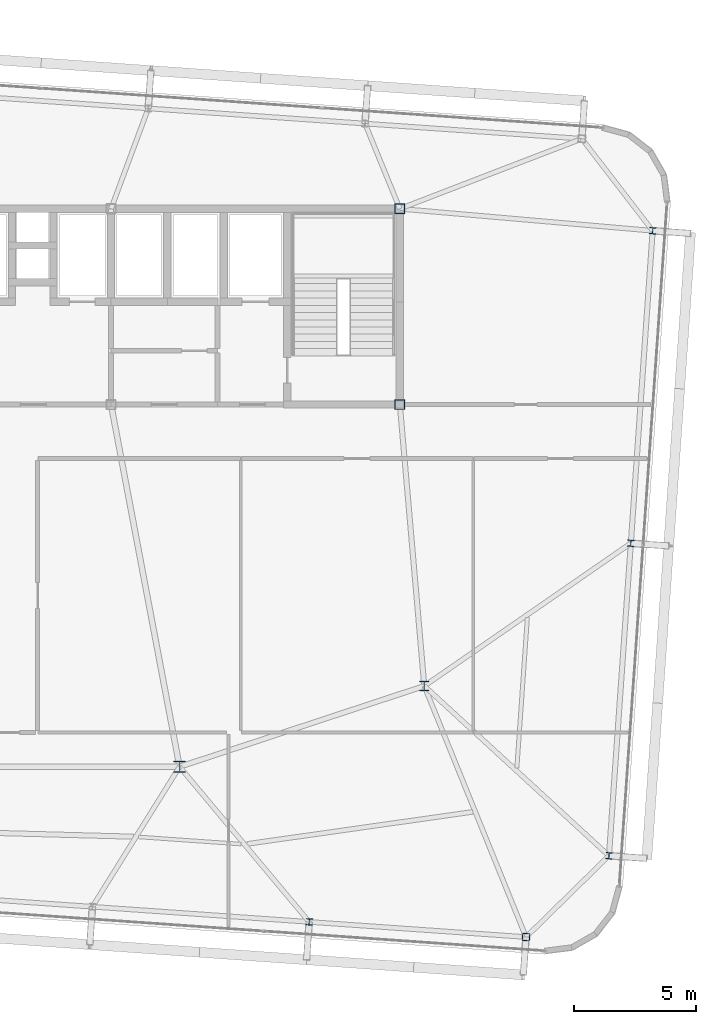
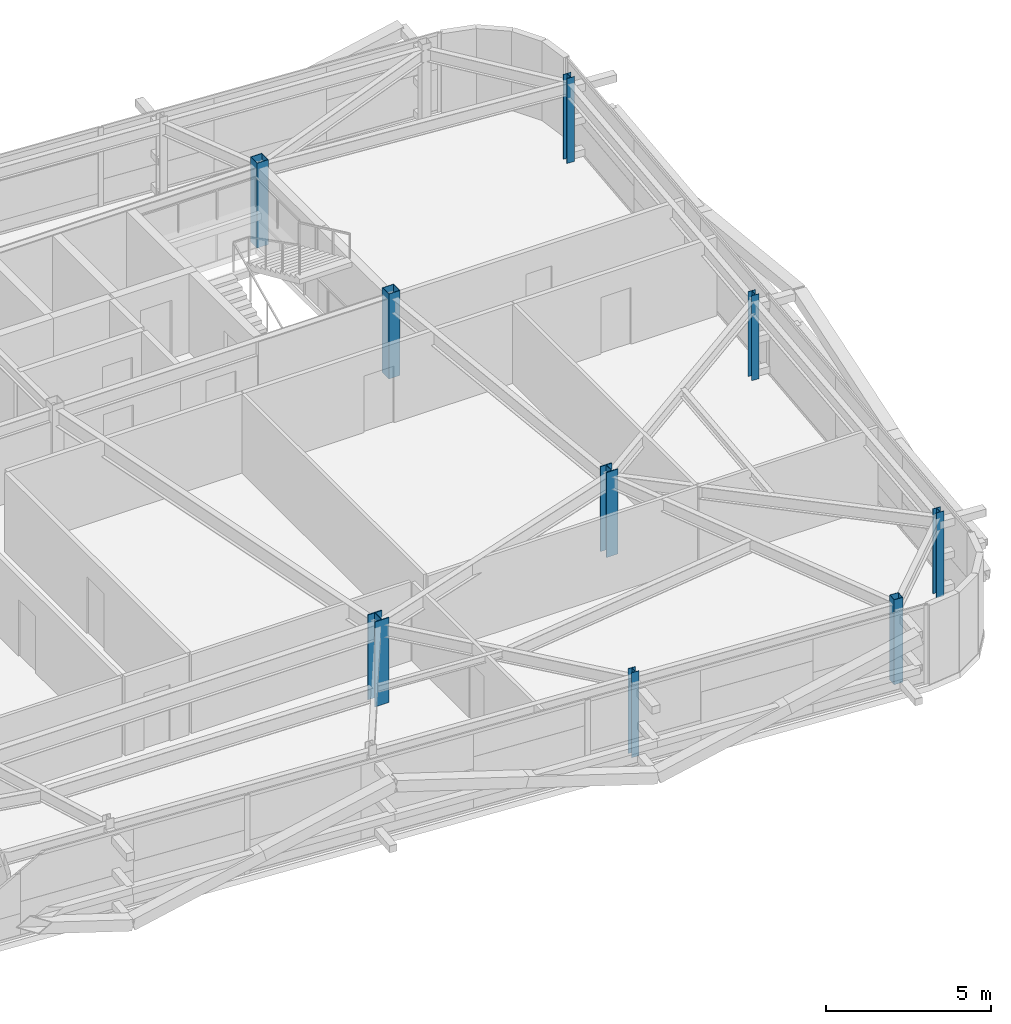
# One storey, part 3 of 39: 9 columns.
"""IFC4 building model written with IfcOpenShell, lengths in metres."""

from ifc_helpers import new_model, si_unit, direction, frame, origin, origin_2d, place, context, subcontext, project, spatial, hollow_rectangle, i_section, extrude, source, transform, mapped, material, material_profile, profile_set, type_object, element, save


model = new_model("IFC4")

# Units and contexts
model_context = context("Model", 3, precision=1e-05, world=origin(), true_north=direction((0.0, 1.0)))
body_context = subcontext(model_context, "Body", "Model", "MODEL_VIEW")
ifc_project = project(units=[si_unit("LENGTHUNIT", "METRE"), si_unit("AREAUNIT", "SQUARE_METRE"), si_unit("VOLUMEUNIT", "CUBIC_METRE"), si_unit("PLANEANGLEUNIT", "RADIAN"), si_unit("MASSUNIT", "GRAM", prefix="KILO")], contexts=[model_context])

# Site, building, storey
site_placement = place(None, origin())
site = spatial("IfcSite", under=ifc_project, at=site_placement, CompositionType="ELEMENT")
building_placement = place(site_placement, origin())
building = spatial("IfcBuilding", under=site, at=building_placement, Name="Taldren Reach Tower", CompositionType="ELEMENT")
storey_placement = place(building_placement, frame((0.0, 0.0, 126.699951171875)))
storey = spatial("IfcBuildingStorey", under=building, at=storey_placement, Name="L38", CompositionType="ELEMENT", Elevation=126.699951171875)

# Columns
ifc_material_1 = material(Name="Steel Gr 350 (350PLUS)", Category="steel")
ifc_material_profile_1 = material_profile(ifc_material_1, i_section(OverallWidth=0.39990234375, OverallDepth=0.39599609375, WebThickness=0.02197265625, FlangeThickness=0.033935546875, at=origin_2d()), Name="400WC270")
ifc_profile_set_1 = profile_set([ifc_material_profile_1], Name="Steel Gr 350 (350PLUS)")
column_type_1 = type_object("IfcColumnType", Name="COL-WC400", PredefinedType="COLUMN", material=ifc_profile_set_1)
shared_shape_1 = source(origin(), body_context, "Body", "SweptSolid", [
    extrude(i_section(OverallWidth=0.39990234375, OverallDepth=0.39599609375, WebThickness=0.02197265625, FlangeThickness=0.033935546875, at=origin_2d()), origin(), (0.0, 0.0, 1.0), 3.150146484375),
])
column_1_placement = place(storey_placement, frame((52.0, 12.5, 0.0), z_axis=(0.0, 0.0, 1.0), x_axis=(1.0, 0.0, 0.0)))
element("IfcColumn", 1, at=column_1_placement, inside=storey, type_object=column_type_1, Name="Mega column MC-SE L38", PredefinedType="COLUMN", context=body_context, shape_type="MappedRepresentation", body=[
    mapped(shared_shape_1, transform((0.0, 0.0, 0.0), scale=1.0)),
])
ifc_material_profile_2 = material_profile(ifc_material_1, i_section(OverallWidth=0.5, OverallDepth=0.464111328125, WebThickness=0.02197265625, FlangeThickness=0.033935546875, at=origin_2d()), Name="500WC340")
ifc_profile_set_2 = profile_set([ifc_material_profile_2], Name="Steel Gr 350 (350PLUS)")
column_type_2 = type_object("IfcColumnType", Name="COL-WC500B", PredefinedType="COLUMN", material=ifc_profile_set_2)
shared_shape_2 = source(origin(), body_context, "Body", "SweptSolid", [
    extrude(i_section(OverallWidth=0.5, OverallDepth=0.464111328125, WebThickness=0.02197265625, FlangeThickness=0.033935546875, at=origin_2d()), origin(), (0.0, 0.0, 1.0), 3.150146484375),
])
column_2_placement = place(storey_placement, frame((42.0, 9.199951171875, 0.0), z_axis=(0.0, 0.0, 1.0), x_axis=(1.0, 0.0, 0.0)))
element("IfcColumn", 2, at=column_2_placement, inside=storey, type_object=column_type_2, Name="Mega column MC-PJE L38", PredefinedType="COLUMN", context=body_context, shape_type="MappedRepresentation", body=[
    mapped(shared_shape_2, transform((0.0, 0.0, 0.0), scale=1.0)),
])
ifc_material_2 = material(Name="Steel Gr 450 (C450L0)", Category="steel")
ifc_material_profile_3 = material_profile(ifc_material_2, hollow_rectangle(XDim=0.39990234375, YDim=0.39990234375, WallThickness=0.01611328125, at=origin_2d()), Name="400x400x16.0SHS")
ifc_profile_set_3 = profile_set([ifc_material_profile_3], Name="Steel Gr 450 (C450L0)")
column_type_3 = type_object("IfcColumnType", Name="COL-SHS400", PredefinedType="COLUMN", material=ifc_profile_set_3)
shared_shape_3 = source(origin(), body_context, "Body", "SweptSolid", [
    extrude(hollow_rectangle(XDim=0.39990234375, YDim=0.39990234375, WallThickness=0.01611328125, at=origin_2d()), origin(), (0.0, 0.0, 1.0), 3.150146484375),
])
for number, where, z_axis, x_axis, name in (
    (3, (51.0, 24.0, 0.0), (0.0, 0.0, 1.0), (1.0, 0.0, 0.0), "Mega column MC-C4 L38"),
    (4, (51.0, 32.0, 0.0), (0.0, 0.0, 1.0), (1.0, 0.0, 0.0), "Mega column MC-C8 L38"),
):
    element("IfcColumn", number, at=place(storey_placement, frame(where, z_axis=z_axis, x_axis=x_axis)), inside=storey, type_object=column_type_3, Name=name, PredefinedType="COLUMN", context=body_context, shape_type="MappedRepresentation", body=[
        mapped(shared_shape_3, transform((0.0, 0.0, 0.0), scale=1.0)),
    ])
ifc_material_profile_4 = material_profile(ifc_material_2, hollow_rectangle(XDim=0.300048828125, YDim=0.300048828125, WallThickness=0.012451171875, at=origin_2d()), Name="300x300x12.5SHS")
ifc_profile_set_4 = profile_set([ifc_material_profile_4], Name="Steel Gr 450 (C450L0)")
column_type_4 = type_object("IfcColumnType", Name="COL-SHS300", PredefinedType="COLUMN", material=ifc_profile_set_4)
shared_shape_4 = source(origin(), body_context, "Body", "SweptSolid", [
    extrude(hollow_rectangle(XDim=0.300048828125, YDim=0.300048828125, WallThickness=0.012451171875, at=origin_2d()), origin(), (0.0, 0.0, 1.0), 3.150146484375),
])
column_3_placement = place(storey_placement, frame((56.155517578125, 2.2412109375, 0.0), z_axis=(0.0, 0.0, 1.0), x_axis=(0.99756405026, -0.069756473744, 0.0)))
element("IfcColumn", 5, at=column_3_placement, inside=storey, type_object=column_type_4, Name="Block B3 perimeter column S6 L38", PredefinedType="COLUMN", context=body_context, shape_type="MappedRepresentation", body=[
    mapped(shared_shape_4, transform((0.0, 0.0, 0.0), scale=1.0)),
])
ifc_material_profile_5 = material_profile(ifc_material_1, i_section(OverallWidth=0.256103515625, OverallDepth=0.260009765625, WebThickness=0.010498046875, FlangeThickness=0.017333984375, at=origin_2d()), Name="250UC89.5")
ifc_profile_set_5 = profile_set([ifc_material_profile_5], Name="Steel Gr 350 (350PLUS)")
column_type_5 = type_object("IfcColumnType", Name="COL-UC250", PredefinedType="COLUMN", material=ifc_profile_set_5)
shared_shape_5 = source(origin(), body_context, "Body", "SweptSolid", [
    extrude(i_section(OverallWidth=0.256103515625, OverallDepth=0.260009765625, WebThickness=0.010498046875, FlangeThickness=0.017333984375, at=origin_2d()), origin(), (0.0, 0.0, 1.0), 3.150146484375),
])
for number, where, z_axis, x_axis, name in (
    (6, (47.297119140625, 2.860595703125, 0.0), (0.0, 0.0, 1.0), (0.99756405026, -0.069756473744, 0.0), "Block B3 perimeter column S5 L38"),
    (7, (59.54541015625, 5.562744140625, 0.0), (0.0, 0.0, 1.0), (0.99756405026, -0.069756473744, 0.0), "Block B3 perimeter column E1 L38"),
    (8, (60.438232421875, 18.331787109375, 0.0), (0.0, 0.0, 1.0), (0.99756405026, -0.069756473744, 0.0), "Block B3 perimeter column E2 L38"),
    (9, (61.3310546875, 31.1005859375, 0.0), (0.0, 0.0, 1.0), (0.99756405026, -0.069756473744, 0.0), "Block B3 perimeter column E3 L38"),
):
    element("IfcColumn", number, at=place(storey_placement, frame(where, z_axis=z_axis, x_axis=x_axis)), inside=storey, type_object=column_type_5, Name=name, PredefinedType="COLUMN", context=body_context, shape_type="MappedRepresentation", body=[
        mapped(shared_shape_5, transform((0.0, 0.0, 0.0), scale=1.0)),
    ])

save(model, "model.ifc")
